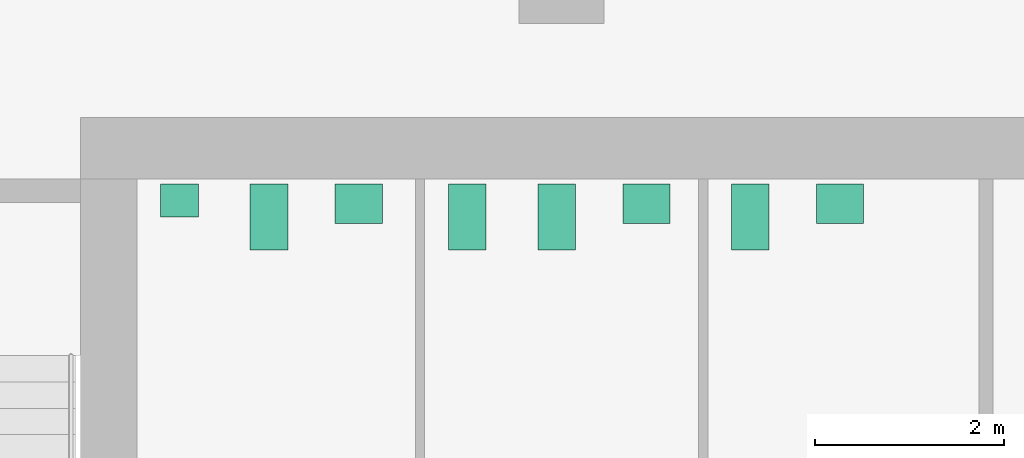
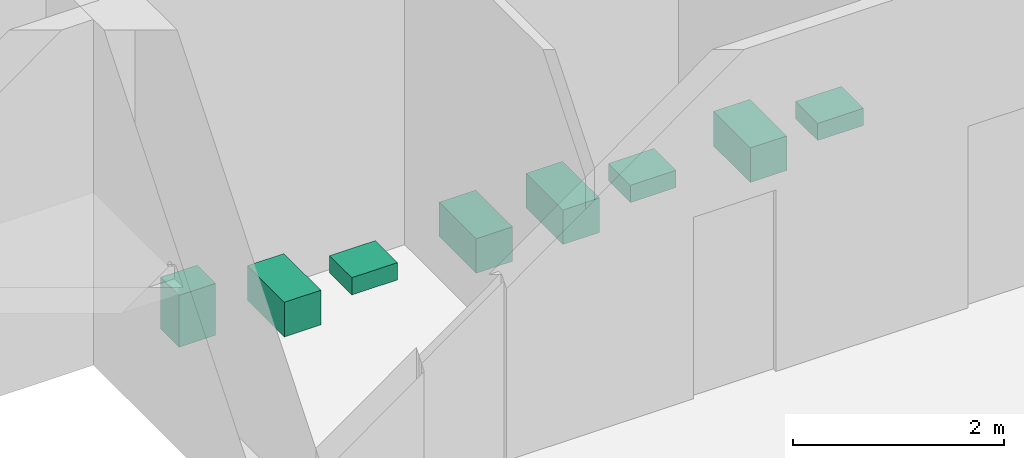
# One storey, part 8 of 8: 8 sanitary terminals.
"""IFC4 building model written with IfcOpenShell, lengths in metres."""

from ifc_helpers import new_model, si_unit, direction, frame, origin, origin_2d, place, context, subcontext, project, spatial, rectangle, extrude, material, type_object, element, save


model = new_model("IFC4")

# Units and contexts
model_context = context("Model", 3, precision=1e-05, world=origin(), true_north=direction((0.0, 1.0)))
body_context = subcontext(model_context, "Body", "Model", "MODEL_VIEW")
ifc_project = project(units=[si_unit("LENGTHUNIT", "METRE"), si_unit("AREAUNIT", "SQUARE_METRE"), si_unit("VOLUMEUNIT", "CUBIC_METRE"), si_unit("PLANEANGLEUNIT", "RADIAN"), si_unit("MASSUNIT", "GRAM", prefix="KILO")], contexts=[model_context])

# Site, building, storey
site_placement = place(None, origin())
site = spatial("IfcSite", under=ifc_project, at=site_placement, CompositionType="ELEMENT")
building_placement = place(site_placement, origin())
building = spatial("IfcBuilding", under=site, at=building_placement, Name="Cinnabar Reach Civic Tower", CompositionType="ELEMENT")
storey_placement = place(building_placement, frame((0.0, 0.0, 185.0)))
storey = spatial("IfcBuildingStorey", under=building, at=storey_placement, Name="L44", CompositionType="ELEMENT", Elevation=185.0)

# Sanitary terminals
ifc_material = material(Name="Vitreous china")
sanitary_terminal_type_1 = type_object("IfcSanitaryTerminalType", Name="T1 WC pan", PredefinedType="TOILETPAN", material=ifc_material)
for number, where, z_axis, x_axis, name in (
    (1, (5.9, 41.6, 0.0), (0.0, 0.0, 1.0), (1.0, 0.0, 0.0), "T1 WC pan 4408-2"),
    (2, (8.0, 41.6, 0.0), (0.0, 0.0, 1.0), (1.0, 0.0, 0.0), "T1 WC pan 4409-1"),
    (3, (8.95, 41.6, 0.0), (0.0, 0.0, 1.0), (1.0, 0.0, 0.0), "T1 WC pan 4409-2"),
    (4, (11.0, 41.6, 0.0), (0.0, 0.0, 1.0), (1.0, 0.0, 0.0), "T1 WC pan 4410-1"),
):
    element("IfcSanitaryTerminal", number, at=place(storey_placement, frame(where, z_axis=z_axis, x_axis=x_axis)), inside=storey, type_object=sanitary_terminal_type_1, Name=name, PredefinedType="TOILETPAN", context=body_context, shape_type="SweptSolid", body=[
        extrude(rectangle(XDim=0.4, YDim=0.7, at=origin_2d()), origin(), (0.0, 0.0, 1.0), 0.4),
    ])
sanitary_terminal_type_2 = type_object("IfcSanitaryTerminalType", Name="T1 urinal", PredefinedType="URINAL", material=ifc_material)
sanitary_terminal_placement = place(storey_placement, frame((4.95, 41.775, 0.0), z_axis=(0.0, 0.0, 1.0), x_axis=(1.0, 0.0, 0.0)))
element("IfcSanitaryTerminal", 5, at=sanitary_terminal_placement, inside=storey, type_object=sanitary_terminal_type_2, Name="T1 urinal 4408-1", PredefinedType="URINAL", context=body_context, shape_type="SweptSolid", body=[
    extrude(rectangle(XDim=0.4, YDim=0.35, at=origin_2d()), origin(), (0.0, 0.0, 1.0), 0.6),
])
sanitary_terminal_type_3 = type_object("IfcSanitaryTerminalType", Name="T1 wash basin", PredefinedType="WASHHANDBASIN", material=ifc_material)
for number, where, z_axis, x_axis, name in (
    (6, (6.85, 41.74, 0.0), (0.0, 0.0, 1.0), (1.0, 0.0, 0.0), "T1 wash basin 4408-3"),
    (7, (9.9, 41.74, 0.0), (0.0, 0.0, 1.0), (1.0, 0.0, 0.0), "T1 wash basin 4409-3"),
    (8, (11.95, 41.74, 0.0), (0.0, 0.0, 1.0), (1.0, 0.0, 0.0), "T1 wash basin 4410-2"),
):
    element("IfcSanitaryTerminal", number, at=place(storey_placement, frame(where, z_axis=z_axis, x_axis=x_axis)), inside=storey, type_object=sanitary_terminal_type_3, Name=name, PredefinedType="WASHHANDBASIN", context=body_context, shape_type="SweptSolid", body=[
        extrude(rectangle(XDim=0.5, YDim=0.42, at=origin_2d()), origin(), (0.0, 0.0, 1.0), 0.2),
    ])

save(model, "model.ifc")
